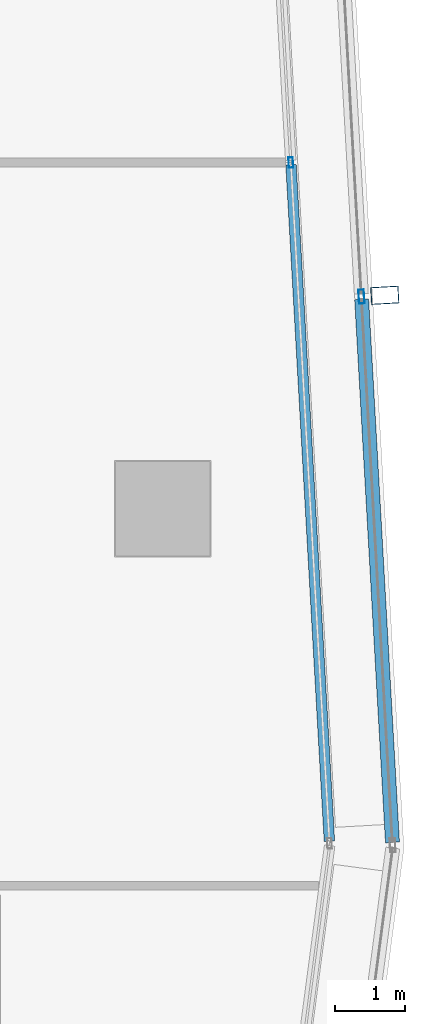
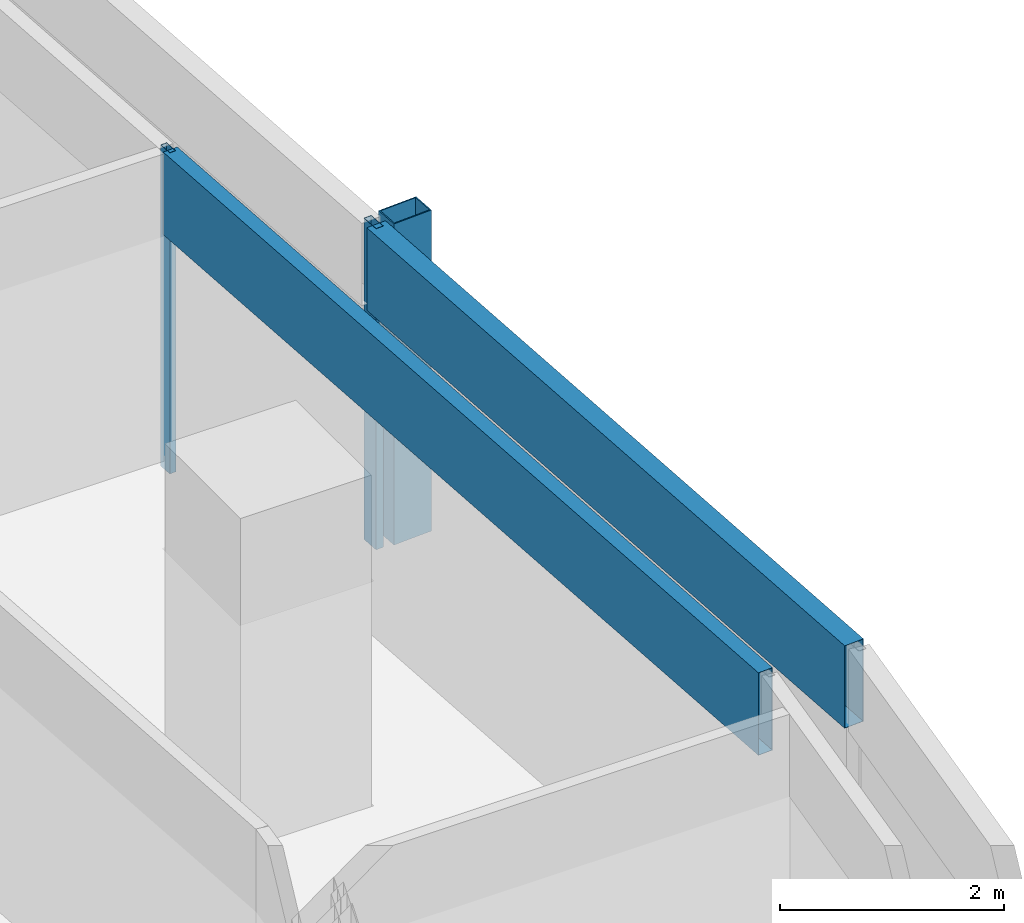
# One storey, part 12 of 35: 5 members, 2 elements without a shape of their own.
"""IFC4 building model written with IfcOpenShell, lengths in metres."""

from ifc_helpers import new_model, si_unit, direction, frame, origin, origin_2d, place, context, subcontext, project, spatial, hollow_rectangle, extrude, material, material_profile, profile_set, type_object, element, aggregate, save


model = new_model("IFC4")

# Units and contexts
model_context = context("Model", 3, precision=1e-05, world=origin(), true_north=direction((0.0, 1.0)))
body_context = subcontext(model_context, "Body", "Model", "MODEL_VIEW")
ifc_project = project(units=[si_unit("LENGTHUNIT", "METRE"), si_unit("AREAUNIT", "SQUARE_METRE"), si_unit("VOLUMEUNIT", "CUBIC_METRE"), si_unit("PLANEANGLEUNIT", "RADIAN"), si_unit("MASSUNIT", "GRAM", prefix="KILO")], contexts=[model_context])

# Site, building, storey
site_placement = place(None, origin())
site = spatial("IfcSite", under=ifc_project, at=site_placement, CompositionType="ELEMENT")
building_placement = place(site_placement, origin())
building = spatial("IfcBuilding", under=site, at=building_placement, Name="Rekha Terrace Tower", CompositionType="ELEMENT")
storey_placement = place(building_placement, frame((0.0, 0.0, 191.449951171875)))
storey = spatial("IfcBuildingStorey", under=building, at=storey_placement, Name="L48", CompositionType="ELEMENT", Elevation=191.449951171875)

# Curtain wall, member
ifc_material_1 = material(Name="Aluminium framing", Category="aluminium")
curtain_wall_type_1 = type_object("IfcCurtainWallType", Name="CW2 double skin outer glazing", PredefinedType="USERDEFINED", material=ifc_material_1)
curtain_wall_1_placement = place(storey_placement, origin())
curtain_wall_1 = element("IfcCurtainWall", 1, at=curtain_wall_1_placement, inside=storey, type_object=curtain_wall_type_1, Name="CW2 double skin outer glazing", ObjectType="DOUBLE SKIN OUTER GLAZING", PredefinedType="USERDEFINED")
ifc_material_2 = material(Name="Steel S355 with fluorocarbon finish", Category="steel")
ifc_material_profile_1 = material_profile(ifc_material_2, hollow_rectangle(XDim=0.25, YDim=0.39990234375, WallThickness=0.012451171875, at=origin_2d()), Name="RHS400x250x12.5")
ifc_profile_set_1 = profile_set([ifc_material_profile_1], Name="Steel S355 with fluorocarbon finish")
member_type_1 = type_object("IfcMemberType", Name="BL1 facade blade RHS 400 x 250", PredefinedType="USERDEFINED", material=ifc_profile_set_1)
member_1_placement = place(storey_placement, frame((61.975830078125, 36.65576171875, 0.0), z_axis=(0.0, 0.0, 1.0), x_axis=(-0.056673619809, 0.998392758797, 0.0)))
member_1 = element("IfcMember", 2, at=member_1_placement, type_object=member_type_1, Name="Facade blade", ObjectType="FACADE BLADE", PredefinedType="USERDEFINED", context=body_context, shape_type="SweptSolid", body=[
    extrude(hollow_rectangle(XDim=0.25, YDim=0.39990234375, WallThickness=0.012451171875, at=origin_2d()), origin(), (0.0, 0.0, 1.0), 3.5),
])

# Curtain wall, members
curtain_wall_type_2 = type_object("IfcCurtainWallType", Name="CW1 double skin inner glazing", PredefinedType="USERDEFINED", material=ifc_material_1)
curtain_wall_2_placement = place(storey_placement, origin())
curtain_wall_2 = element("IfcCurtainWall", 3, at=curtain_wall_2_placement, inside=storey, type_object=curtain_wall_type_2, Name="CW1 double skin inner glazing", ObjectType="DOUBLE SKIN INNER GLAZING", PredefinedType="USERDEFINED")
ifc_material_3 = material(Name="Aluminium mullion section", Category="aluminium")
ifc_material_profile_2 = material_profile(ifc_material_3, hollow_rectangle(XDim=0.06494140625, YDim=0.14990234375, WallThickness=0.00390625, at=origin_2d()), Name="AL RHS 65x150")
ifc_profile_set_2 = profile_set([ifc_material_profile_2], Name="Aluminium mullion section")
member_type_2 = type_object("IfcMemberType", Name="CW1 mullion RHS 65 x 150", PredefinedType="MULLION", material=ifc_profile_set_2)
member_2_placement = place(storey_placement, frame((60.631103515625, 38.555908203125, 0.0), z_axis=(0.0, 0.0, 1.0), x_axis=(-0.998392782919, -0.05667319486, 0.0)))
member_2 = element("IfcMember", 4, at=member_2_placement, type_object=member_type_2, Name="CW1 mullion 2", PredefinedType="MULLION", context=body_context, shape_type="SweptSolid", body=[
    extrude(hollow_rectangle(XDim=0.06494140625, YDim=0.14990234375, WallThickness=0.00390625, at=origin_2d()), origin(), (0.0, 0.0, 1.0), 3.5),
])
ifc_material_4 = material(Name="Insulated aluminium spandrel box", Category="aluminium")
ifc_material_profile_3 = material_profile(ifc_material_4, hollow_rectangle(XDim=0.14990234375, YDim=0.89990234375, WallThickness=0.0029296875, at=origin_2d()), Name="AL SPANDREL BOX 150x900")
ifc_profile_set_3 = profile_set([ifc_material_profile_3], Name="Insulated aluminium spandrel box")
member_type_3 = type_object("IfcMemberType", Name="CW1 spandrel transom 150 x 900", PredefinedType="USERDEFINED", material=ifc_profile_set_3)
member_3_placement = place(storey_placement, frame((61.182373046875, 28.8447265625, 3.050048828125), z_axis=(-0.056663932611, 0.998393308642, 0.0), x_axis=(-0.998393308642, -0.056663932611, 0.0)))
member_3 = element("IfcMember", 5, at=member_3_placement, type_object=member_type_3, Name="CW1 spandrel transom 1", ObjectType="TRANSOM", PredefinedType="USERDEFINED", context=body_context, shape_type="SweptSolid", body=[
    extrude(hollow_rectangle(XDim=0.14990234375, YDim=0.89990234375, WallThickness=0.0029296875, at=origin_2d()), origin(), (0.0, 0.0, 1.0), 9.6943359375),
])
aggregate(curtain_wall_2, [member_2, member_3])

# Member
ifc_material_profile_4 = material_profile(ifc_material_3, hollow_rectangle(XDim=0.080078125, YDim=0.199951171875, WallThickness=0.00390625, at=origin_2d()), Name="AL RHS 80x200")
ifc_profile_set_4 = profile_set([ifc_material_profile_4], Name="Aluminium mullion section")
member_type_4 = type_object("IfcMemberType", Name="CW2 mullion RHS 80 x 200", PredefinedType="MULLION", material=ifc_profile_set_4)
member_4_placement = place(storey_placement, frame((61.6416015625, 36.63671875, 0.0), z_axis=(0.0, 0.0, 1.0), x_axis=(-0.998392782919, -0.05667319486, 0.0)))
member_4 = element("IfcMember", 6, at=member_4_placement, type_object=member_type_4, Name="CW2 mullion 2", PredefinedType="MULLION", context=body_context, shape_type="SweptSolid", body=[
    extrude(hollow_rectangle(XDim=0.080078125, YDim=0.199951171875, WallThickness=0.00390625, at=origin_2d()), origin(), (0.0, 0.0, 1.0), 3.5),
])

ifc_material_profile_5 = material_profile(ifc_material_4, hollow_rectangle(XDim=0.199951171875, YDim=0.89990234375, WallThickness=0.0029296875, at=origin_2d()), Name="AL SPANDREL BOX 200x900")
ifc_profile_set_5 = profile_set([ifc_material_profile_5], Name="Insulated aluminium spandrel box")
member_type_5 = type_object("IfcMemberType", Name="CW2 spandrel transom 200 x 900", PredefinedType="USERDEFINED", material=ifc_profile_set_5)
member_5_placement = place(storey_placement, frame((62.0849609375, 28.825927734375, 3.050048828125), z_axis=(-0.05667908121, 0.998392448766, 0.0), x_axis=(-0.998392448766, -0.05667908121, 0.0)))
member_5 = element("IfcMember", 7, at=member_5_placement, type_object=member_type_5, Name="CW2 spandrel transom 1", ObjectType="TRANSOM", PredefinedType="USERDEFINED", context=body_context, shape_type="SweptSolid", body=[
    extrude(hollow_rectangle(XDim=0.199951171875, YDim=0.89990234375, WallThickness=0.0029296875, at=origin_2d()), origin(), (0.0, 0.0, 1.0), 7.783447265625),
])

aggregate(curtain_wall_1, [member_4, member_5, member_1])

save(model, "model.ifc")
